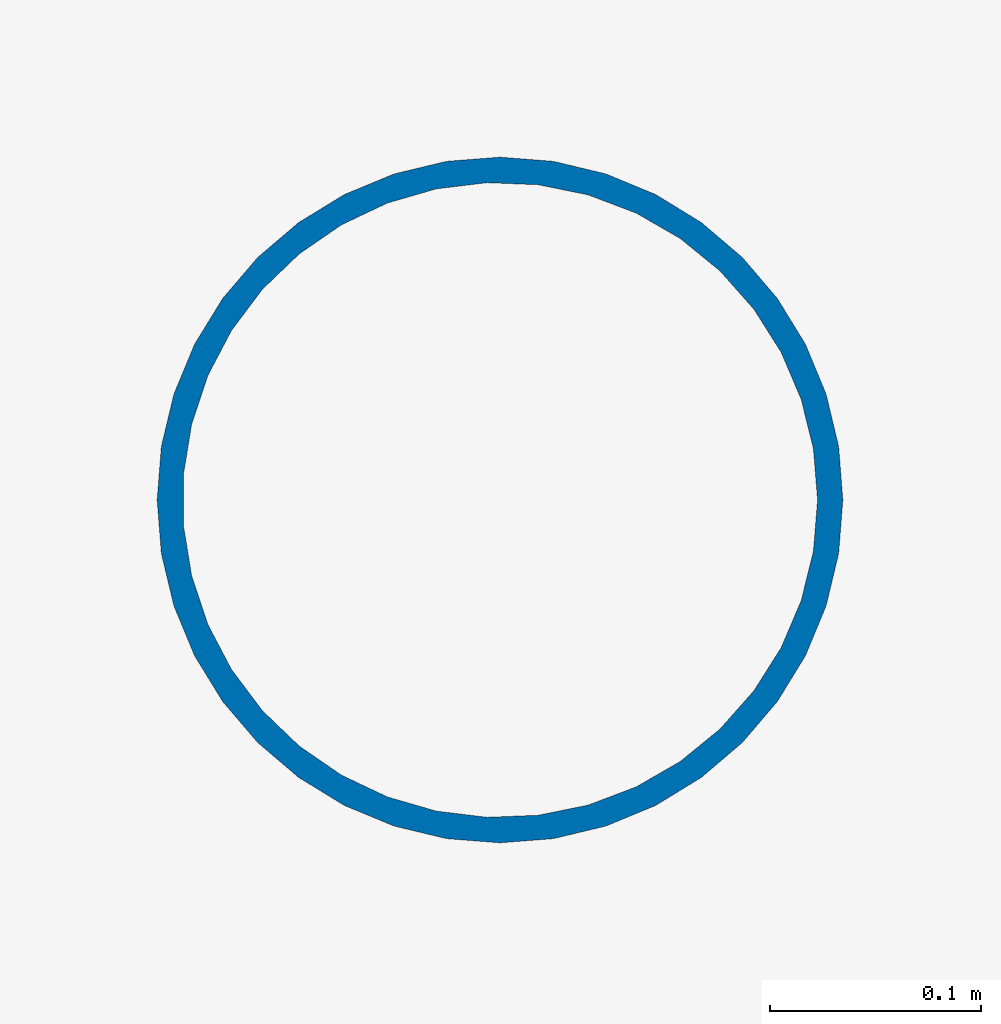
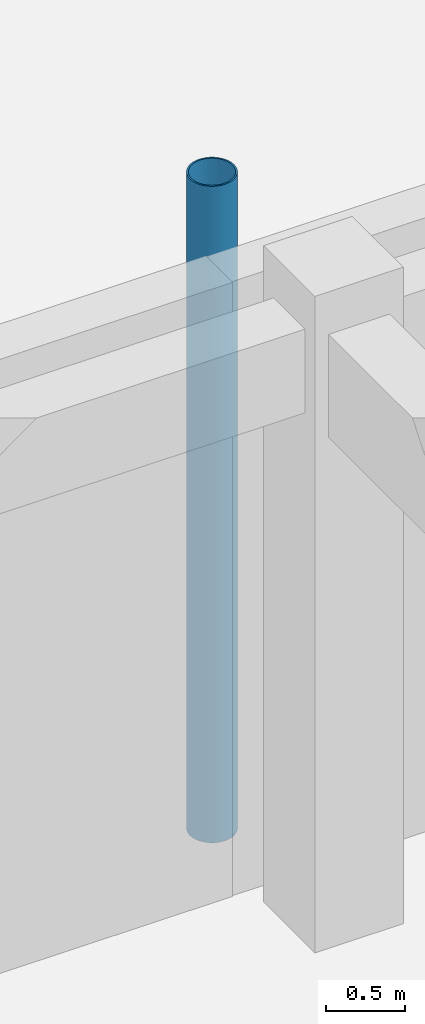
# One storey, part 4 of 121: 1 column.
"""IFC4 building model written with IfcOpenShell, lengths in metres."""

from ifc_helpers import new_model, si_unit, direction, frame, origin, origin_2d, place, context, subcontext, project, spatial, hollow_circle, extrude, material, material_profile, profile_set, type_object, element, save


model = new_model("IFC4")

# Units and contexts
model_context = context("Model", 3, precision=1e-05, world=origin(), true_north=direction((0.0, 1.0)))
body_context = subcontext(model_context, "Body", "Model", "MODEL_VIEW")
ifc_project = project(units=[si_unit("LENGTHUNIT", "METRE"), si_unit("AREAUNIT", "SQUARE_METRE"), si_unit("VOLUMEUNIT", "CUBIC_METRE"), si_unit("PLANEANGLEUNIT", "RADIAN"), si_unit("MASSUNIT", "GRAM", prefix="KILO")], contexts=[model_context])

# Site, building, storey
site_placement = place(None, origin())
site = spatial("IfcSite", under=ifc_project, at=site_placement, CompositionType="ELEMENT")
building_placement = place(site_placement, origin())
building = spatial("IfcBuilding", under=site, at=building_placement, Name="Valcora Specialist Clinic", CompositionType="ELEMENT")
storey_placement = place(building_placement, origin())
storey = spatial("IfcBuildingStorey", under=building, at=storey_placement, Name="L00", CompositionType="ELEMENT", Elevation=0.0)

# Column
ifc_material = material(Name="Steel ASTM A500 Grade C", Category="steel")
ifc_material_profile = material_profile(ifc_material, hollow_circle(Radius=0.162109375, WallThickness=0.011962890625, at=origin_2d()), Name="ST-CHS-324X12")
ifc_profile_set = profile_set([ifc_material_profile], Name="Steel ASTM A500 Grade C")
column_type = type_object("IfcColumnType", Name="TY-COL-CHS324", PredefinedType="COLUMN", material=ifc_profile_set)
column_placement = place(storey_placement, frame((61.60009765625, 23.199951171875, 0.0), z_axis=(0.0, 0.0, 1.0), x_axis=(1.0, 0.0, 0.0)))
element("IfcColumn", 1, at=column_placement, inside=storey, type_object=column_type, Name="Column COL-L00-0960", PredefinedType="COLUMN", context=body_context, shape_type="SweptSolid", body=[
    extrude(hollow_circle(Radius=0.162109375, WallThickness=0.011962890625, at=origin_2d()), origin(), (0.0, 0.0, 1.0), 5.10009765625),
])

save(model, "model.ifc")
